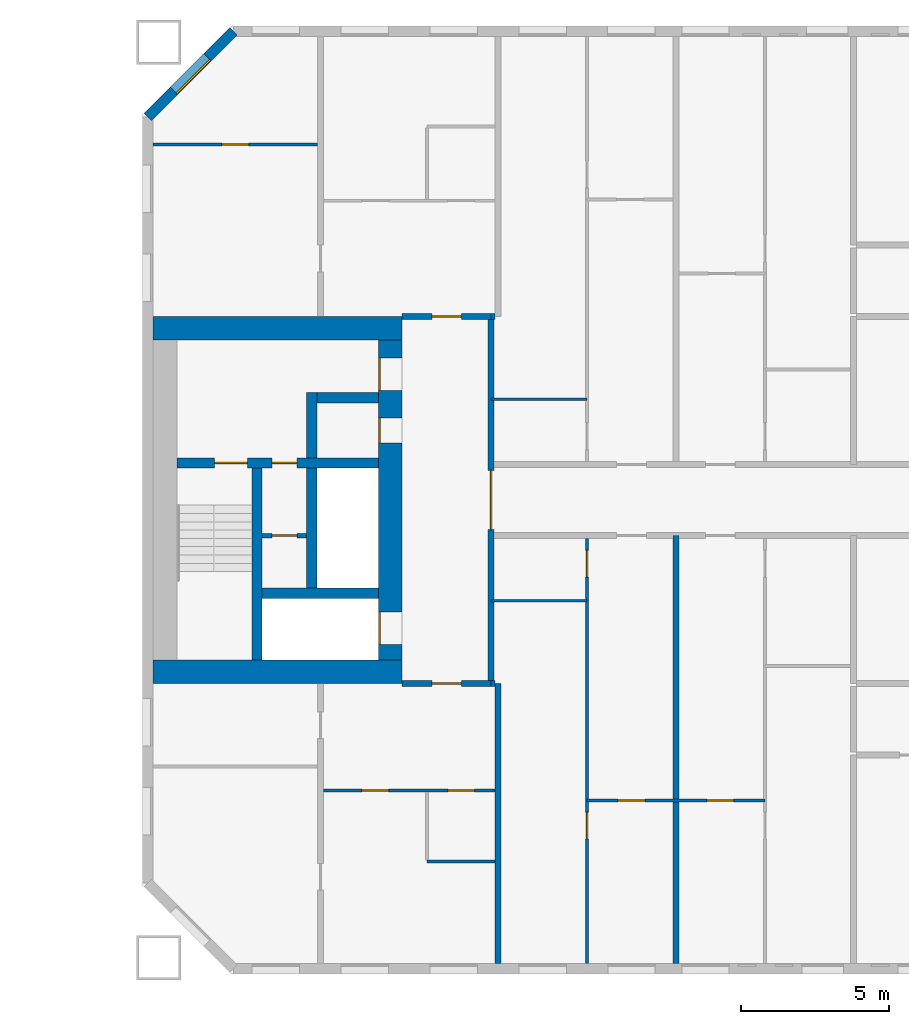
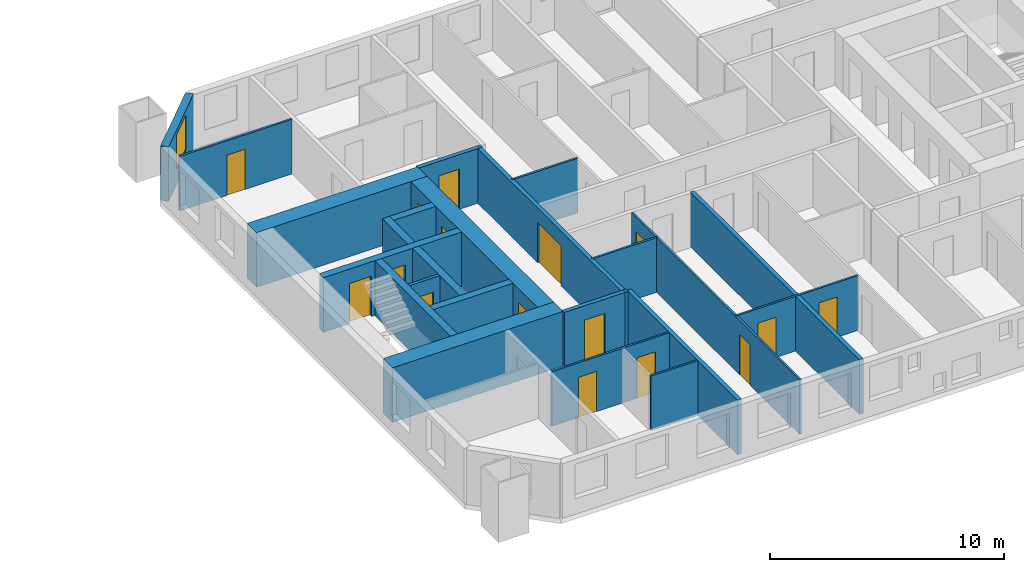
# One storey, part 9 of 16: 25 walls, 16 doors, 1 window, 17 openings.
"""IFC4 building model written with IfcOpenShell, lengths in metres."""

from ifc_helpers import new_model, si_unit, direction, frame, frame_2d, origin, place, context, subcontext, project, spatial, rectangle, extrude, material, layer, layer_set, type_object, element, fill, save


model = new_model("IFC4")

# Units and contexts
model_context = context("Model", 3, precision=1e-05, world=origin(), true_north=direction((0.0, 1.0)))
body_context = subcontext(model_context, "Body", "Model", "MODEL_VIEW")
ifc_project = project(units=[si_unit("LENGTHUNIT", "METRE"), si_unit("AREAUNIT", "SQUARE_METRE"), si_unit("VOLUMEUNIT", "CUBIC_METRE"), si_unit("PLANEANGLEUNIT", "RADIAN"), si_unit("MASSUNIT", "GRAM", prefix="KILO")], contexts=[model_context])

# Site, building, storey
site_placement = place(None, origin())
site = spatial("IfcSite", under=ifc_project, at=site_placement, CompositionType="ELEMENT")
building_placement = place(site_placement, origin())
building = spatial("IfcBuilding", under=site, at=building_placement, Name="Tuart Gate Housing", CompositionType="ELEMENT")
storey_placement = place(building_placement, frame((0.0, 0.0, 59.800048828125)))
storey = spatial("IfcBuildingStorey", under=building, at=storey_placement, Name="L16", CompositionType="ELEMENT", Elevation=59.800048828125)

# Wall, opening, window
ifc_material_1 = material(Name="Brick", Category="masonry")
ifc_layer_1 = layer(ifc_material_1, 0.360107421875)
ifc_layer_set_1 = layer_set([ifc_layer_1], Name="Brick pier and spandrel wall 360")
wall_type_1 = type_object("IfcWallType", Name="Brick pier and spandrel wall 360", PredefinedType="STANDARD", material=ifc_layer_set_1)
wall_1_placement = place(storey_placement, frame((134.07470703125, 85.820068359375, 0.0), z_axis=(0.0, 0.0, 1.0), x_axis=(-0.707106781187, -0.707106781187, 0.0)))
wall_1 = element("IfcWall", 1, at=wall_1_placement, inside=storey, type_object=wall_type_1, Name="External wall B-NW L16", PredefinedType="STANDARD", context=body_context, shape_type="SweptSolid", body=[
    extrude(rectangle(XDim=4.09375, YDim=0.360107421875, at=frame_2d((2.046875, 0.0))), origin(), (0.0, 0.0, 1.0), 2.849853515625),
])
opening_1_placement = place(wall_1_placement, frame((1.2470703125, 0.0, 0.800048828125)))
opening_1 = element("IfcOpeningElement", 2, at=opening_1_placement, cuts=wall_1, Name="Opening W1", PredefinedType="OPENING", context=body_context, shape_type="SweptSolid", body=[
    extrude(rectangle(XDim=1.60009765625, YDim=1.800048828125, at=frame_2d((0.800048828125, 0.89990234375))), frame((0.0, 0.18994140625, 0.0), z_axis=(0.0, -1.0, 0.0), x_axis=(1.0, 0.0, 0.0)), (0.0, 0.0, 1.0), 0.380126953125),
])
ifc_material_2 = material(Name="Aluminium frame with clear glass", Category="aluminium")
window_type = type_object("IfcWindowType", Name="Punched window 1600 x 1800", PartitioningType="SINGLE_PANEL", PredefinedType="WINDOW", material=ifc_material_2)
window_placement = place(opening_1_placement, origin())
window = element("IfcWindow", 3, at=window_placement, inside=storey, type_object=window_type, Name="Window W1", OverallHeight=1.800048828125, OverallWidth=1.60009765625, PartitioningType="SINGLE_PANEL", PredefinedType="WINDOW", context=body_context, shape_type="SweptSolid", body=[
    extrude(rectangle(XDim=1.60009765625, YDim=1.800048828125, at=frame_2d((0.800048828125, 0.89990234375))), frame((0.0, 0.150146484375, 0.0), z_axis=(0.0, -1.0, 0.0), x_axis=(1.0, 0.0, 0.0)), (0.0, 0.0, 1.0), 0.06005859375),
])
fill(opening_1, window)

# Wall, opening, door
ifc_material_3 = material(Name="Plasterboard partition")
ifc_layer_2 = layer(ifc_material_3, 0.14990234375)
ifc_layer_set_2 = layer_set([ifc_layer_2], Name="Core partition 150")
wall_type_2 = type_object("IfcWallType", Name="Core partition 150", PredefinedType="PARTITIONING", material=ifc_layer_set_2)
wall_2_placement = place(storey_placement, frame((136.534912109375, 68.800048828125, 0.0), z_axis=(0.0, 0.0, 1.0), x_axis=(-1.0, 0.0, 0.0)))
wall_2 = element("IfcWall", 4, at=wall_2_placement, inside=storey, type_object=wall_type_2, Name="Core partition BG.2", PredefinedType="PARTITIONING", context=body_context, shape_type="SweptSolid", body=[
    extrude(rectangle(XDim=1.5, YDim=0.14990234375, at=frame_2d((0.75, 0.0))), origin(), (0.0, 0.0, 1.0), 2.849853515625),
])
opening_2_placement = place(wall_2_placement, frame((0.324951171875, 0.0, 0.0)))
opening_2 = element("IfcOpeningElement", 5, at=opening_2_placement, cuts=wall_2, Name="Opening D809", PredefinedType="OPENING", context=body_context, shape_type="SweptSolid", body=[
    extrude(rectangle(XDim=0.85009765625, YDim=2.10009765625, at=frame_2d((0.425048828125, 1.050048828125))), frame((0.0, 0.0849609375, 0.0), z_axis=(0.0, -1.0, 0.0), x_axis=(1.0, 0.0, 0.0)), (0.0, 0.0, 1.0), 0.169921875),
])
ifc_material_4 = material(Name="Steel fire door", Category="steel")
door_type_1 = type_object("IfcDoorType", Name="Service door 850 x 2100 RH", OperationType="SINGLE_SWING_RIGHT", PredefinedType="DOOR", material=ifc_material_4)
door_1_placement = place(opening_2_placement, frame((0.85009765625, 0.0, 0.0), z_axis=(0.0, 0.0, 1.0), x_axis=(-1.0, 0.0, 0.0)))
door_1 = element("IfcDoor", 6, at=door_1_placement, inside=storey, type_object=door_type_1, Name="Service room door BG.W2", OperationType="SINGLE_SWING_RIGHT", OverallHeight=2.10009765625, OverallWidth=0.85009765625, PredefinedType="DOOR", context=body_context, shape_type="SweptSolid", body=[
    extrude(rectangle(XDim=0.85009765625, YDim=2.10009765625, at=frame_2d((0.425048828125, 1.050048828125))), frame((0.0, 0.025146484375, 0.0), z_axis=(0.0, -1.0, 0.0), x_axis=(1.0, 0.0, 0.0)), (0.0, 0.0, 1.0), 0.050048828125),
])
fill(opening_2, door_1)

# Wall
ifc_material_5 = material(Name="Concrete C60", Category="concrete")
ifc_layer_3 = layer(ifc_material_5, 0.35009765625)
ifc_layer_set_3 = layer_set([ifc_layer_3], Name="Core wall 350 C60")
wall_type_3 = type_object("IfcWallType", Name="Core wall 350 C60", PredefinedType="SHEAR", material=ifc_layer_set_3)
wall_3_placement = place(storey_placement, frame((138.9599609375, 66.85009765625, 0.0), z_axis=(0.0, 0.0, 1.0), x_axis=(-1.0, 0.0, 0.0)))
element("IfcWall", 7, at=wall_3_placement, inside=storey, type_object=wall_type_3, Name="Core wall BG.1", PredefinedType="SHEAR", context=body_context, shape_type="SweptSolid", body=[
    extrude(rectangle(XDim=3.925048828125, YDim=0.35009765625, at=frame_2d((1.96240234375, 0.0))), origin(), (0.0, 0.0, 1.0), 2.849853515625),
])

# Wall, openings, doors
wall_4_placement = place(storey_placement, frame((138.9599609375, 71.25, 0.0), z_axis=(0.0, 0.0, 1.0), x_axis=(-1.0, 0.0, 0.0)))
wall_4 = element("IfcWall", 8, at=wall_4_placement, inside=storey, type_object=wall_type_3, Name="Core wall BG.3", PredefinedType="SHEAR", context=body_context, shape_type="SweptSolid", body=[
    extrude(rectangle(XDim=6.800048828125, YDim=0.35009765625, at=frame_2d((3.39990234375, 0.0))), origin(), (0.0, 0.0, 1.0), 2.849853515625),
])
opening_3_placement = place(wall_4_placement, frame((4.425048828125, 0.0, 0.0)))
opening_3 = element("IfcOpeningElement", 9, at=opening_3_placement, cuts=wall_4, Name="Opening D798", PredefinedType="OPENING", context=body_context, shape_type="SweptSolid", body=[
    extrude(rectangle(XDim=1.10009765625, YDim=2.10009765625, at=frame_2d((0.550048828125, 1.050048828125))), frame((0.0, 0.18505859375, 0.0), z_axis=(0.0, -1.0, 0.0), x_axis=(1.0, 0.0, 0.0)), (0.0, 0.0, 1.0), 0.3701171875),
])
opening_4_placement = place(wall_4_placement, frame((2.75, 0.0, 0.0)))
opening_4 = element("IfcOpeningElement", 10, at=opening_4_placement, cuts=wall_4, Name="Opening D797", PredefinedType="OPENING", context=body_context, shape_type="SweptSolid", body=[
    extrude(rectangle(XDim=0.85009765625, YDim=2.10009765625, at=frame_2d((0.425048828125, 1.050048828125))), frame((0.0, 0.18505859375, 0.0), z_axis=(0.0, -1.0, 0.0), x_axis=(1.0, 0.0, 0.0)), (0.0, 0.0, 1.0), 0.3701171875),
])
ifc_material_6 = material(Name="Steel fire door", Category="steel")
door_type_2 = type_object("IfcDoorType", Name="Riser door 850 x 2100", OperationType="SINGLE_SWING_LEFT", PredefinedType="DOOR", material=ifc_material_6)
door_2_placement = place(opening_4_placement, origin())
door_2 = element("IfcDoor", 11, at=door_2_placement, inside=storey, type_object=door_type_2, Name="Service room door BG.W1", OperationType="SINGLE_SWING_LEFT", OverallHeight=2.10009765625, OverallWidth=0.85009765625, PredefinedType="DOOR", context=body_context, shape_type="SweptSolid", body=[
    extrude(rectangle(XDim=0.85009765625, YDim=2.10009765625, at=frame_2d((0.425048828125, 1.050048828125))), frame((0.0, 0.02490234375, 0.0), z_axis=(0.0, -1.0, 0.0), x_axis=(1.0, 0.0, 0.0)), (0.0, 0.0, 1.0), 0.050048828125),
])
fill(opening_4, door_2)
ifc_material_7 = material(Name="Steel fire door", Category="steel")
door_type_3 = type_object("IfcDoorType", Name="Stair door 1100 x 2100", OperationType="SINGLE_SWING_LEFT", PredefinedType="DOOR", material=ifc_material_7)
door_3_placement = place(opening_3_placement, origin())
door_3 = element("IfcDoor", 12, at=door_3_placement, inside=storey, type_object=door_type_3, Name="Stair door BG.SD", OperationType="SINGLE_SWING_LEFT", OverallHeight=2.10009765625, OverallWidth=1.10009765625, PredefinedType="DOOR", context=body_context, shape_type="SweptSolid", body=[
    extrude(rectangle(XDim=1.10009765625, YDim=2.10009765625, at=frame_2d((0.550048828125, 1.050048828125))), frame((0.0, 0.02490234375, 0.0), z_axis=(0.0, -1.0, 0.0), x_axis=(1.0, 0.0, 0.0)), (0.0, 0.0, 1.0), 0.050048828125),
])
fill(opening_3, door_3)

# Walls
wall_5_placement = place(storey_placement, frame((138.9599609375, 73.449951171875, 0.0), z_axis=(0.0, 0.0, 1.0), x_axis=(-1.0, 0.0, 0.0)))
element("IfcWall", 13, at=wall_5_placement, inside=storey, type_object=wall_type_3, Name="Core wall BG.4", PredefinedType="SHEAR", context=body_context, shape_type="SweptSolid", body=[
    extrude(rectangle(XDim=2.074951171875, YDim=0.35009765625, at=frame_2d((1.03759765625, 0.0))), origin(), (0.0, 0.0, 1.0), 2.849853515625),
])
wall_6_placement = place(storey_placement, frame((136.7099609375, 67.02490234375, 0.0), z_axis=(0.0, 0.0, 1.0), x_axis=(0.0, 1.0, 0.0)))
element("IfcWall", 14, at=wall_6_placement, inside=storey, type_object=wall_type_3, Name="Core wall BG.5", PredefinedType="SHEAR", context=body_context, shape_type="SweptSolid", body=[
    extrude(rectangle(XDim=4.050048828125, YDim=0.35009765625, at=frame_2d((2.02490234375, 0.0))), origin(), (0.0, 0.0, 1.0), 2.849853515625),
])
wall_7_placement = place(storey_placement, frame((136.7099609375, 71.425048828125, 0.0), z_axis=(0.0, 0.0, 1.0), x_axis=(0.0, 1.0, 0.0)))
element("IfcWall", 15, at=wall_7_placement, inside=storey, type_object=wall_type_3, Name="Core wall BG.6", PredefinedType="SHEAR", context=body_context, shape_type="SweptSolid", body=[
    extrude(rectangle(XDim=2.199951171875, YDim=0.35009765625, at=frame_2d((1.10009765625, 0.0))), origin(), (0.0, 0.0, 1.0), 2.849853515625),
])
wall_8_placement = place(storey_placement, frame((134.860107421875, 64.60009765625, 0.0), z_axis=(0.0, 0.0, 1.0), x_axis=(0.0, 1.0, 0.0)))
element("IfcWall", 16, at=wall_8_placement, inside=storey, type_object=wall_type_3, Name="Core wall BG.7", PredefinedType="SHEAR", context=body_context, shape_type="SweptSolid", body=[
    extrude(rectangle(XDim=6.474853515625, YDim=0.35009765625, at=frame_2d((3.2373046875, 0.0))), origin(), (0.0, 0.0, 1.0), 2.849853515625),
])

# Wall, openings, doors
ifc_material_8 = material(Name="Concrete C60", Category="concrete")
ifc_layer_4 = layer(ifc_material_8, 0.800048828125)
ifc_layer_set_4 = layer_set([ifc_layer_4], Name="Core wall 800 C60")
wall_type_4 = type_object("IfcWallType", Name="Core wall 800 C60", PredefinedType="SHEAR", material=ifc_layer_set_4)
wall_9_placement = place(storey_placement, frame((139.360107421875, 64.60009765625, 0.0), z_axis=(0.0, 0.0, 1.0), x_axis=(0.0, 1.0, 0.0)))
wall_9 = element("IfcWall", 17, at=wall_9_placement, inside=storey, type_object=wall_type_4, Name="Core wall BG front", PredefinedType="SHEAR", context=body_context, shape_type="SweptSolid", body=[
    extrude(rectangle(XDim=10.7998046875, YDim=0.800048828125, at=frame_2d((5.39990234375, 0.0))), origin(), (0.0, 0.0, 1.0), 2.849853515625),
])
opening_5_placement = place(wall_9_placement, frame((0.52490234375, 0.0, 0.0)))
opening_5 = element("IfcOpeningElement", 18, at=opening_5_placement, cuts=wall_9, Name="Opening LD-FB1", PredefinedType="OPENING", context=body_context, shape_type="SweptSolid", body=[
    extrude(rectangle(XDim=1.10009765625, YDim=2.10009765625, at=frame_2d((0.550048828125, 1.050048828125))), frame((0.0, 0.409912109375, 0.0), z_axis=(0.0, -1.0, 0.0), x_axis=(1.0, 0.0, 0.0)), (0.0, 0.0, 1.0), 0.820068359375),
])
opening_6_placement = place(wall_9_placement, frame((9.10009765625, 0.0, 0.0)))
opening_6 = element("IfcOpeningElement", 19, at=opening_6_placement, cuts=wall_9, Name="Opening D801", PredefinedType="OPENING", context=body_context, shape_type="SweptSolid", body=[
    extrude(rectangle(XDim=1.10009765625, YDim=2.10009765625, at=frame_2d((0.550048828125, 1.050048828125))), frame((0.0, 0.409912109375, 0.0), z_axis=(0.0, -1.0, 0.0), x_axis=(1.0, 0.0, 0.0)), (0.0, 0.0, 1.0), 0.820068359375),
])
opening_7_placement = place(wall_9_placement, frame((7.324951171875, 0.0, 0.0)))
opening_7 = element("IfcOpeningElement", 20, at=opening_7_placement, cuts=wall_9, Name="Opening D802", PredefinedType="OPENING", context=body_context, shape_type="SweptSolid", body=[
    extrude(rectangle(XDim=0.85009765625, YDim=2.10009765625, at=frame_2d((0.425048828125, 1.050048828125))), frame((0.0, 0.409912109375, 0.0), z_axis=(0.0, -1.0, 0.0), x_axis=(1.0, 0.0, 0.0)), (0.0, 0.0, 1.0), 0.820068359375),
])
ifc_material_9 = material(Name="Stainless steel", Category="steel")
door_type_4 = type_object("IfcDoorType", Name="Landing door 1100 x 2100", OperationType="DOUBLE_DOOR_SLIDING", PredefinedType="DOOR", material=ifc_material_9)
door_4_placement = place(opening_5_placement, origin())
door_4 = element("IfcDoor", 21, at=door_4_placement, inside=storey, type_object=door_type_4, Name="Lift landing door FB1", OperationType="DOUBLE_DOOR_SLIDING", OverallHeight=2.10009765625, OverallWidth=1.10009765625, PredefinedType="DOOR", context=body_context, shape_type="SweptSolid", body=[
    extrude(rectangle(XDim=1.10009765625, YDim=2.10009765625, at=frame_2d((0.550048828125, 1.050048828125))), frame((0.0, 0.38525390625, 0.0), z_axis=(0.0, -1.0, 0.0), x_axis=(1.0, 0.0, 0.0)), (0.0, 0.0, 1.0), 0.050048828125),
])
fill(opening_5, door_4)
ifc_material_10 = material(Name="Steel fire door", Category="steel")
door_type_5 = type_object("IfcDoorType", Name="Lobby door 1100 x 2100", OperationType="SINGLE_SWING_LEFT", PredefinedType="DOOR", material=ifc_material_10)
door_5_placement = place(opening_6_placement, origin())
door_5 = element("IfcDoor", 22, at=door_5_placement, inside=storey, type_object=door_type_5, Name="Lobby entry door BG.EN", OperationType="SINGLE_SWING_LEFT", OverallHeight=2.10009765625, OverallWidth=1.10009765625, PredefinedType="DOOR", context=body_context, shape_type="SweptSolid", body=[
    extrude(rectangle(XDim=1.10009765625, YDim=2.10009765625, at=frame_2d((0.550048828125, 1.050048828125))), frame((0.0, 0.38525390625, 0.0), z_axis=(0.0, -1.0, 0.0), x_axis=(1.0, 0.0, 0.0)), (0.0, 0.0, 1.0), 0.050048828125),
])
fill(opening_6, door_5)
ifc_material_11 = material(Name="Steel fire door", Category="steel")
door_type_6 = type_object("IfcDoorType", Name="Service door 850 x 2100", OperationType="SINGLE_SWING_LEFT", PredefinedType="DOOR", material=ifc_material_11)
door_6_placement = place(opening_7_placement, origin())
door_6 = element("IfcDoor", 23, at=door_6_placement, inside=storey, type_object=door_type_6, Name="Service room door BG.T1", OperationType="SINGLE_SWING_LEFT", OverallHeight=2.10009765625, OverallWidth=0.85009765625, PredefinedType="DOOR", context=body_context, shape_type="SweptSolid", body=[
    extrude(rectangle(XDim=0.85009765625, YDim=2.10009765625, at=frame_2d((0.425048828125, 1.050048828125))), frame((0.0, 0.38525390625, 0.0), z_axis=(0.0, -1.0, 0.0), x_axis=(1.0, 0.0, 0.0)), (0.0, 0.0, 1.0), 0.050048828125),
])
fill(opening_7, door_6)

# Walls
for number, where, z_axis, x_axis, name in (
    (24, (139.760009765625, 64.199951171875, 0.0), (0.0, 0.0, 1.0), (-1.0, 0.0, 0.0), "Core wall BG south"),
    (25, (139.760009765625, 75.800048828125, 0.0), (0.0, 0.0, 1.0), (-1.0, 0.0, 0.0), "Core wall BG north"),
):
    element("IfcWall", number, at=place(storey_placement, frame(where, z_axis=z_axis, x_axis=x_axis)), inside=storey, type_object=wall_type_4, Name=name, PredefinedType="SHEAR", context=body_context, shape_type="SweptSolid", body=[
        extrude(rectangle(XDim=8.39990234375, YDim=0.800048828125, at=frame_2d((4.199951171875, 0.0))), origin(), (0.0, 0.0, 1.0), 2.849853515625),
    ])

# Wall, opening, door
ifc_material_12 = material(Name="Concrete masonry 15 MPa", Category="masonry")
ifc_layer_5 = layer(ifc_material_12, 0.199951171875)
ifc_layer_set_5 = layer_set([ifc_layer_5], Name="Enclosure wall masonry 200")
wall_type_5 = type_object("IfcWallType", Name="Enclosure wall masonry 200", PredefinedType="PARTITIONING", material=ifc_layer_set_5)
wall_10_placement = place(storey_placement, frame((139.760009765625, 63.800048828125, 0.0), z_axis=(0.0, 0.0, 1.0), x_axis=(1.0, 0.0, 0.0)))
wall_10 = element("IfcWall", 26, at=wall_10_placement, inside=storey, type_object=wall_type_5, Name="Enclosure wall masonry 200", PredefinedType="PARTITIONING", context=body_context, shape_type="SweptSolid", body=[
    extrude(rectangle(XDim=3.0, YDim=0.199951171875, at=frame_2d((1.5, 0.0))), origin(), (0.0, 0.0, 1.0), 2.849853515625),
])
opening_8_placement = place(wall_10_placement, frame((1.0, 0.0, 0.0)))
opening_8 = element("IfcOpeningElement", 27, at=opening_8_placement, cuts=wall_10, Name="Opening D814", PredefinedType="OPENING", context=body_context, shape_type="SweptSolid", body=[
    extrude(rectangle(XDim=1.0, YDim=2.10009765625, at=frame_2d((0.5, 1.050048828125))), frame((0.0, 0.10986328125, 0.0), z_axis=(0.0, -1.0, 0.0), x_axis=(1.0, 0.0, 0.0)), (0.0, 0.0, 1.0), 0.219970703125),
])
ifc_material_13 = material(Name="Timber door leaf in steel frame", Category="steel")
door_type_7 = type_object("IfcDoorType", Name="Flat entrance door 1000", OperationType="SINGLE_SWING_LEFT", PredefinedType="DOOR", material=ifc_material_13)
door_7_placement = place(opening_8_placement, frame((1.0, 0.0, 0.0), z_axis=(0.0, 0.0, 1.0), x_axis=(-1.0, 0.0, 0.0)))
door_7 = element("IfcDoor", 28, at=door_7_placement, inside=storey, type_object=door_type_7, Name="Flat entrance door", OperationType="SINGLE_SWING_LEFT", OverallHeight=2.10009765625, OverallWidth=1.0, PredefinedType="DOOR", context=body_context, shape_type="SweptSolid", body=[
    extrude(rectangle(XDim=1.0, YDim=2.10009765625, at=frame_2d((0.5, 1.050048828125))), frame((0.0, 0.025146484375, 0.0), z_axis=(0.0, -1.0, 0.0), x_axis=(1.0, 0.0, 0.0)), (0.0, 0.0, 1.0), 0.050048828125),
])
fill(opening_8, door_7)

wall_11_placement = place(storey_placement, frame((139.760009765625, 76.199951171875, 0.0), z_axis=(0.0, 0.0, 1.0), x_axis=(1.0, 0.0, 0.0)))
wall_11 = element("IfcWall", 29, at=wall_11_placement, inside=storey, type_object=wall_type_5, Name="Enclosure wall masonry 200", PredefinedType="PARTITIONING", context=body_context, shape_type="SweptSolid", body=[
    extrude(rectangle(XDim=3.0, YDim=0.199951171875, at=frame_2d((1.5, 0.0))), origin(), (0.0, 0.0, 1.0), 2.849853515625),
])
opening_9_placement = place(wall_11_placement, frame((1.0, 0.0, 0.0)))
opening_9 = element("IfcOpeningElement", 30, at=opening_9_placement, cuts=wall_11, Name="Opening D795", PredefinedType="OPENING", context=body_context, shape_type="SweptSolid", body=[
    extrude(rectangle(XDim=1.0, YDim=2.10009765625, at=frame_2d((0.5, 1.050048828125))), frame((0.0, 0.10986328125, 0.0), z_axis=(0.0, -1.0, 0.0), x_axis=(1.0, 0.0, 0.0)), (0.0, 0.0, 1.0), 0.219970703125),
])
ifc_material_14 = material(Name="Timber door leaf in steel frame", Category="steel")
door_type_8 = type_object("IfcDoorType", Name="Flat entrance door 1000 RH", OperationType="SINGLE_SWING_RIGHT", PredefinedType="DOOR", material=ifc_material_14)
door_8_placement = place(opening_9_placement, origin())
door_8 = element("IfcDoor", 31, at=door_8_placement, inside=storey, type_object=door_type_8, Name="Flat entrance door", OperationType="SINGLE_SWING_RIGHT", OverallHeight=2.10009765625, OverallWidth=1.0, PredefinedType="DOOR", context=body_context, shape_type="SweptSolid", body=[
    extrude(rectangle(XDim=1.0, YDim=2.10009765625, at=frame_2d((0.5, 1.050048828125))), frame((0.0, 0.02490234375, 0.0), z_axis=(0.0, -1.0, 0.0), x_axis=(1.0, 0.0, 0.0)), (0.0, 0.0, 1.0), 0.050048828125),
])
fill(opening_9, door_8)

ifc_material_15 = material(Name="Plasterboard partition")
ifc_layer_6 = layer(ifc_material_15, 0.199951171875)
ifc_layer_set_6 = layer_set([ifc_layer_6], Name="Lobby wall 200")
wall_type_6 = type_object("IfcWallType", Name="Lobby wall 200", PredefinedType="PARTITIONING", material=ifc_layer_set_6)
wall_12_placement = place(storey_placement, frame((142.760009765625, 63.89990234375, 0.0), z_axis=(0.0, 0.0, 1.0), x_axis=(0.0, 1.0, 0.0)))
wall_12 = element("IfcWall", 32, at=wall_12_placement, inside=storey, type_object=wall_type_6, Name="Lift lobby wall BG", PredefinedType="PARTITIONING", context=body_context, shape_type="SweptSolid", body=[
    extrude(rectangle(XDim=12.2001953125, YDim=0.199951171875, at=frame_2d((6.10009765625, 0.0))), origin(), (0.0, 0.0, 1.0), 2.849853515625),
])
opening_10_placement = place(wall_12_placement, frame((5.10009765625, 0.0, 0.0)))
opening_10 = element("IfcOpeningElement", 33, at=opening_10_placement, cuts=wall_12, Name="Opening D803", PredefinedType="OPENING", context=body_context, shape_type="SweptSolid", body=[
    extrude(rectangle(XDim=2.0, YDim=2.10009765625, at=frame_2d((1.0, 1.050048828125))), frame((0.0, 0.10986328125, 0.0), z_axis=(0.0, -1.0, 0.0), x_axis=(1.0, 0.0, 0.0)), (0.0, 0.0, 1.0), 0.219970703125),
])
ifc_material_16 = material(Name="Steel fire door", Category="steel")
door_type_9 = type_object("IfcDoorType", Name="Smoke door 2000 x 2100", OperationType="DOUBLE_DOOR_SINGLE_SWING", PredefinedType="DOOR", material=ifc_material_16)
door_9_placement = place(opening_10_placement, origin())
door_9 = element("IfcDoor", 34, at=door_9_placement, inside=storey, type_object=door_type_9, Name="Lift lobby smoke door BG", OperationType="DOUBLE_DOOR_SINGLE_SWING", OverallHeight=2.10009765625, OverallWidth=2.0, PredefinedType="DOOR", context=body_context, shape_type="SweptSolid", body=[
    extrude(rectangle(XDim=2.0, YDim=2.10009765625, at=frame_2d((1.0, 1.050048828125))), frame((0.0, 0.02490234375, 0.0), z_axis=(0.0, -1.0, 0.0), x_axis=(1.0, 0.0, 0.0)), (0.0, 0.0, 1.0), 0.050048828125),
])
fill(opening_10, door_9)

# Wall
ifc_material_17 = material(Name="Gypsum board on steel studs", Category="steel")
ifc_layer_7 = layer(ifc_material_17, 0.10009765625)
ifc_layer_set_7 = layer_set([ifc_layer_7], Name="Partition 100")
wall_type_7 = type_object("IfcWallType", Name="Partition 100", PredefinedType="PARTITIONING", material=ifc_layer_set_7)
wall_13_placement = place(storey_placement, frame((140.60009765625, 57.800048828125, 0.0), z_axis=(0.0, 0.0, 1.0), x_axis=(1.0, 0.0, 0.0)))
element("IfcWall", 35, at=wall_13_placement, inside=storey, type_object=wall_type_7, Name="Partition 100", PredefinedType="PARTITIONING", context=body_context, shape_type="SweptSolid", body=[
    extrude(rectangle(XDim=2.2998046875, YDim=0.10009765625, at=frame_2d((1.14990234375, 0.0))), origin(), (0.0, 0.0, 1.0), 2.849853515625),
])

# Wall, openings, doors
wall_14_placement = place(storey_placement, frame((146.0, 59.860107421875, 0.0), z_axis=(0.0, 0.0, 1.0), x_axis=(1.0, 0.0, 0.0)))
wall_14 = element("IfcWall", 36, at=wall_14_placement, inside=storey, type_object=wall_type_7, Name="Partition 100", PredefinedType="PARTITIONING", context=body_context, shape_type="SweptSolid", body=[
    extrude(rectangle(XDim=6.0, YDim=0.10009765625, at=frame_2d((3.0, 0.0))), origin(), (0.0, 0.0, 1.0), 2.849853515625),
])
opening_11_placement = place(wall_14_placement, frame((1.050048828125, 0.0, 0.0)))
opening_11 = element("IfcOpeningElement", 37, at=opening_11_placement, cuts=wall_14, Name="Opening D825", PredefinedType="OPENING", context=body_context, shape_type="SweptSolid", body=[
    extrude(rectangle(XDim=0.89990234375, YDim=2.10009765625, at=frame_2d((0.449951171875, 1.050048828125))), frame((0.0, 0.06005859375, 0.0), z_axis=(0.0, -1.0, 0.0), x_axis=(1.0, 0.0, 0.0)), (0.0, 0.0, 1.0), 0.1201171875),
])
opening_12_placement = place(wall_14_placement, frame((4.050048828125, 0.0, 0.0)))
opening_12 = element("IfcOpeningElement", 38, at=opening_12_placement, cuts=wall_14, Name="Opening D826", PredefinedType="OPENING", context=body_context, shape_type="SweptSolid", body=[
    extrude(rectangle(XDim=0.89990234375, YDim=2.10009765625, at=frame_2d((0.449951171875, 1.050048828125))), frame((0.0, 0.06005859375, 0.0), z_axis=(0.0, -1.0, 0.0), x_axis=(1.0, 0.0, 0.0)), (0.0, 0.0, 1.0), 0.1201171875),
])
ifc_material_18 = material(Name="Timber door leaf in steel frame", Category="steel")
door_type_10 = type_object("IfcDoorType", Name="Internal door 900", OperationType="SINGLE_SWING_LEFT", PredefinedType="DOOR", material=ifc_material_18)
door_10_placement = place(opening_11_placement, origin())
door_10 = element("IfcDoor", 39, at=door_10_placement, inside=storey, type_object=door_type_10, Name="Internal door", OperationType="SINGLE_SWING_LEFT", OverallHeight=2.10009765625, OverallWidth=0.89990234375, PredefinedType="DOOR", context=body_context, shape_type="SweptSolid", body=[
    extrude(rectangle(XDim=0.89990234375, YDim=2.10009765625, at=frame_2d((0.449951171875, 1.050048828125))), frame((0.0, 0.02490234375, 0.0), z_axis=(0.0, -1.0, 0.0), x_axis=(1.0, 0.0, 0.0)), (0.0, 0.0, 1.0), 0.050048828125),
])
fill(opening_11, door_10)
door_11_placement = place(opening_12_placement, origin())
door_11 = element("IfcDoor", 40, at=door_11_placement, inside=storey, type_object=door_type_10, Name="Internal door", OperationType="SINGLE_SWING_LEFT", OverallHeight=2.10009765625, OverallWidth=0.89990234375, PredefinedType="DOOR", context=body_context, shape_type="SweptSolid", body=[
    extrude(rectangle(XDim=0.89990234375, YDim=2.10009765625, at=frame_2d((0.449951171875, 1.050048828125))), frame((0.0, 0.02490234375, 0.0), z_axis=(0.0, -1.0, 0.0), x_axis=(1.0, 0.0, 0.0)), (0.0, 0.0, 1.0), 0.050048828125),
])
fill(opening_12, door_11)

wall_15_placement = place(storey_placement, frame((137.10009765625, 60.199951171875, 0.0), z_axis=(0.0, 0.0, 1.0), x_axis=(1.0, 0.0, 0.0)))
wall_15 = element("IfcWall", 41, at=wall_15_placement, inside=storey, type_object=wall_type_7, Name="Partition 100", PredefinedType="PARTITIONING", context=body_context, shape_type="SweptSolid", body=[
    extrude(rectangle(XDim=5.7998046875, YDim=0.10009765625, at=frame_2d((2.89990234375, 0.0))), origin(), (0.0, 0.0, 1.0), 2.849853515625),
])
opening_13_placement = place(wall_15_placement, frame((1.300048828125, 0.0, 0.0)))
opening_13 = element("IfcOpeningElement", 42, at=opening_13_placement, cuts=wall_15, Name="Opening D824", PredefinedType="OPENING", context=body_context, shape_type="SweptSolid", body=[
    extrude(rectangle(XDim=0.89990234375, YDim=2.10009765625, at=frame_2d((0.449951171875, 1.050048828125))), frame((0.0, 0.06005859375, 0.0), z_axis=(0.0, -1.0, 0.0), x_axis=(1.0, 0.0, 0.0)), (0.0, 0.0, 1.0), 0.1201171875),
])
opening_14_placement = place(wall_15_placement, frame((4.199951171875, 0.0, 0.0)))
opening_14 = element("IfcOpeningElement", 43, at=opening_14_placement, cuts=wall_15, Name="Opening D823", PredefinedType="OPENING", context=body_context, shape_type="SweptSolid", body=[
    extrude(rectangle(XDim=0.89990234375, YDim=2.10009765625, at=frame_2d((0.449951171875, 1.050048828125))), frame((0.0, 0.06005859375, 0.0), z_axis=(0.0, -1.0, 0.0), x_axis=(1.0, 0.0, 0.0)), (0.0, 0.0, 1.0), 0.1201171875),
])
ifc_material_19 = material(Name="Timber door leaf in steel frame", Category="steel")
door_type_11 = type_object("IfcDoorType", Name="Bathroom door 900 RH", OperationType="SINGLE_SWING_RIGHT", PredefinedType="DOOR", material=ifc_material_19)
door_12_placement = place(opening_14_placement, frame((0.89990234375, 0.0, 0.0), z_axis=(0.0, 0.0, 1.0), x_axis=(-1.0, 0.0, 0.0)))
door_12 = element("IfcDoor", 44, at=door_12_placement, inside=storey, type_object=door_type_11, Name="Bathroom door", OperationType="SINGLE_SWING_RIGHT", OverallHeight=2.10009765625, OverallWidth=0.89990234375, PredefinedType="DOOR", context=body_context, shape_type="SweptSolid", body=[
    extrude(rectangle(XDim=0.89990234375, YDim=2.10009765625, at=frame_2d((0.449951171875, 1.050048828125))), frame((0.0, 0.025146484375, 0.0), z_axis=(0.0, -1.0, 0.0), x_axis=(1.0, 0.0, 0.0)), (0.0, 0.0, 1.0), 0.050048828125),
])
fill(opening_14, door_12)
door_13_placement = place(opening_13_placement, origin())
door_13 = element("IfcDoor", 45, at=door_13_placement, inside=storey, type_object=door_type_10, Name="Internal door", OperationType="SINGLE_SWING_LEFT", OverallHeight=2.10009765625, OverallWidth=0.89990234375, PredefinedType="DOOR", context=body_context, shape_type="SweptSolid", body=[
    extrude(rectangle(XDim=0.89990234375, YDim=2.10009765625, at=frame_2d((0.449951171875, 1.050048828125))), frame((0.0, 0.02490234375, 0.0), z_axis=(0.0, -1.0, 0.0), x_axis=(1.0, 0.0, 0.0)), (0.0, 0.0, 1.0), 0.050048828125),
])
fill(opening_13, door_13)

# Walls
for number, where, z_axis, x_axis, name in (
    (46, (142.760009765625, 66.60009765625, 0.0), (0.0, 0.0, 1.0), (1.0, 0.0, 0.0), "Partition 100"),
    (47, (142.760009765625, 73.39990234375, 0.0), (0.0, 0.0, 1.0), (1.0, 0.0, 0.0), "Partition 100"),
):
    element("IfcWall", number, at=place(storey_placement, frame(where, z_axis=z_axis, x_axis=x_axis)), inside=storey, type_object=wall_type_7, Name=name, PredefinedType="PARTITIONING", context=body_context, shape_type="SweptSolid", body=[
        extrude(rectangle(XDim=3.239990234375, YDim=0.10009765625, at=frame_2d((1.6201171875, 0.0))), origin(), (0.0, 0.0, 1.0), 2.849853515625),
    ])

# Wall, opening, door
wall_16_placement = place(storey_placement, frame((131.360107421875, 82.0, 0.0), z_axis=(0.0, 0.0, 1.0), x_axis=(1.0, 0.0, 0.0)))
wall_16 = element("IfcWall", 48, at=wall_16_placement, inside=storey, type_object=wall_type_7, Name="Partition 100", PredefinedType="PARTITIONING", context=body_context, shape_type="SweptSolid", body=[
    extrude(rectangle(XDim=5.539794921875, YDim=0.10009765625, at=frame_2d((2.77001953125, 0.0))), origin(), (0.0, 0.0, 1.0), 2.849853515625),
])
opening_15_placement = place(wall_16_placement, frame((2.320068359375, 0.0, 0.0)))
opening_15 = element("IfcOpeningElement", 49, at=opening_15_placement, cuts=wall_16, Name="Opening D783", PredefinedType="OPENING", context=body_context, shape_type="SweptSolid", body=[
    extrude(rectangle(XDim=0.89990234375, YDim=2.10009765625, at=frame_2d((0.449951171875, 1.050048828125))), frame((0.0, 0.06005859375, 0.0), z_axis=(0.0, -1.0, 0.0), x_axis=(1.0, 0.0, 0.0)), (0.0, 0.0, 1.0), 0.1201171875),
])
door_14_placement = place(opening_15_placement, origin())
door_14 = element("IfcDoor", 50, at=door_14_placement, inside=storey, type_object=door_type_10, Name="Internal door", OperationType="SINGLE_SWING_LEFT", OverallHeight=2.10009765625, OverallWidth=0.89990234375, PredefinedType="DOOR", context=body_context, shape_type="SweptSolid", body=[
    extrude(rectangle(XDim=0.89990234375, YDim=2.10009765625, at=frame_2d((0.449951171875, 1.050048828125))), frame((0.0, 0.02490234375, 0.0), z_axis=(0.0, -1.0, 0.0), x_axis=(1.0, 0.0, 0.0)), (0.0, 0.0, 1.0), 0.050048828125),
])
fill(opening_15, door_14)

# Wall, openings, doors
wall_17_placement = place(storey_placement, frame((146.0, 54.360107421875, 0.0), z_axis=(0.0, 0.0, 1.0), x_axis=(0.0, 1.0, 0.0)))
wall_17 = element("IfcWall", 51, at=wall_17_placement, inside=storey, type_object=wall_type_7, Name="Partition 100", PredefinedType="PARTITIONING", context=body_context, shape_type="SweptSolid", body=[
    extrude(rectangle(XDim=14.33984375, YDim=0.10009765625, at=frame_2d((7.169921875, 0.0))), origin(), (0.0, 0.0, 1.0), 2.849853515625),
])
opening_16_placement = place(wall_17_placement, frame((4.199951171875, 0.0, 0.0)))
opening_16 = element("IfcOpeningElement", 52, at=opening_16_placement, cuts=wall_17, Name="Opening D817", PredefinedType="OPENING", context=body_context, shape_type="SweptSolid", body=[
    extrude(rectangle(XDim=0.89990234375, YDim=2.10009765625, at=frame_2d((0.449951171875, 1.050048828125))), frame((0.0, 0.06005859375, 0.0), z_axis=(0.0, -1.0, 0.0), x_axis=(1.0, 0.0, 0.0)), (0.0, 0.0, 1.0), 0.1201171875),
])
opening_17_placement = place(wall_17_placement, frame((13.0400390625, 0.0, 0.0)))
opening_17 = element("IfcOpeningElement", 53, at=opening_17_placement, cuts=wall_17, Name="Opening D816", PredefinedType="OPENING", context=body_context, shape_type="SweptSolid", body=[
    extrude(rectangle(XDim=0.89990234375, YDim=2.10009765625, at=frame_2d((0.449951171875, 1.050048828125))), frame((0.0, 0.06005859375, 0.0), z_axis=(0.0, -1.0, 0.0), x_axis=(1.0, 0.0, 0.0)), (0.0, 0.0, 1.0), 0.1201171875),
])
door_15_placement = place(opening_17_placement, origin())
door_15 = element("IfcDoor", 54, at=door_15_placement, inside=storey, type_object=door_type_11, Name="Bathroom door", OperationType="SINGLE_SWING_RIGHT", OverallHeight=2.10009765625, OverallWidth=0.89990234375, PredefinedType="DOOR", context=body_context, shape_type="SweptSolid", body=[
    extrude(rectangle(XDim=0.89990234375, YDim=2.10009765625, at=frame_2d((0.449951171875, 1.050048828125))), frame((0.0, 0.02490234375, 0.0), z_axis=(0.0, -1.0, 0.0), x_axis=(1.0, 0.0, 0.0)), (0.0, 0.0, 1.0), 0.050048828125),
])
fill(opening_17, door_15)
door_16_placement = place(opening_16_placement, origin())
door_16 = element("IfcDoor", 55, at=door_16_placement, inside=storey, type_object=door_type_10, Name="Internal door", OperationType="SINGLE_SWING_LEFT", OverallHeight=2.10009765625, OverallWidth=0.89990234375, PredefinedType="DOOR", context=body_context, shape_type="SweptSolid", body=[
    extrude(rectangle(XDim=0.89990234375, YDim=2.10009765625, at=frame_2d((0.449951171875, 1.050048828125))), frame((0.0, 0.02490234375, 0.0), z_axis=(0.0, -1.0, 0.0), x_axis=(1.0, 0.0, 0.0)), (0.0, 0.0, 1.0), 0.050048828125),
])
fill(opening_16, door_16)

# Walls
ifc_material_20 = material(Name="Concrete C40", Category="concrete")
ifc_layer_8 = layer(ifc_material_20, 0.199951171875)
ifc_layer_set_8 = layer_set([ifc_layer_8], Name="Party wall concrete C40 200")
wall_type_8 = type_object("IfcWallType", Name="Party wall concrete C40 200", PredefinedType="SOLIDWALL", material=ifc_layer_set_8)
wall_18_placement = place(storey_placement, frame((143.0, 54.360107421875, 0.0), z_axis=(0.0, 0.0, 1.0), x_axis=(0.0, 1.0, 0.0)))
element("IfcWall", 56, at=wall_18_placement, inside=storey, type_object=wall_type_8, Name="Party wall concrete C40 200", PredefinedType="SOLIDWALL", context=body_context, shape_type="SweptSolid", body=[
    extrude(rectangle(XDim=9.43994140625, YDim=0.199951171875, at=frame_2d((4.719970703125, 0.0))), origin(), (0.0, 0.0, 1.0), 2.849853515625),
])
wall_19_placement = place(storey_placement, frame((149.0, 54.360107421875, 0.0), z_axis=(0.0, 0.0, 1.0), x_axis=(0.0, 1.0, 0.0)))
element("IfcWall", 57, at=wall_19_placement, inside=storey, type_object=wall_type_8, Name="Party wall concrete C40 200", PredefinedType="SOLIDWALL", context=body_context, shape_type="SweptSolid", body=[
    extrude(rectangle(XDim=14.43994140625, YDim=0.199951171875, at=frame_2d((7.219970703125, 0.0))), origin(), (0.0, 0.0, 1.0), 2.849853515625),
])
ifc_material_21 = material(Name="Concrete masonry 15 MPa", Category="masonry")
ifc_layer_9 = layer(ifc_material_21, 0.199951171875)
ifc_layer_set_9 = layer_set([ifc_layer_9], Name="Party wall masonry 200")
wall_type_9 = type_object("IfcWallType", Name="Party wall masonry 200", PredefinedType="PARTITIONING", material=ifc_layer_set_9)
for number, where, z_axis, x_axis, name in (
    (58, (142.760009765625, 63.800048828125, 0.0), (0.0, 0.0, 1.0), (1.0, 0.0, 0.0), "Party wall masonry 200"),
    (59, (142.760009765625, 76.199951171875, 0.0), (0.0, 0.0, 1.0), (1.0, 0.0, 0.0), "Party wall masonry 200"),
):
    element("IfcWall", number, at=place(storey_placement, frame(where, z_axis=z_axis, x_axis=x_axis)), inside=storey, type_object=wall_type_9, Name=name, PredefinedType="PARTITIONING", context=body_context, shape_type="SweptSolid", body=[
        extrude(rectangle(XDim=0.139892578125, YDim=0.199951171875, at=frame_2d((0.06982421875, 0.0))), origin(), (0.0, 0.0, 1.0), 2.849853515625),
    ])

save(model, "model.ifc")
